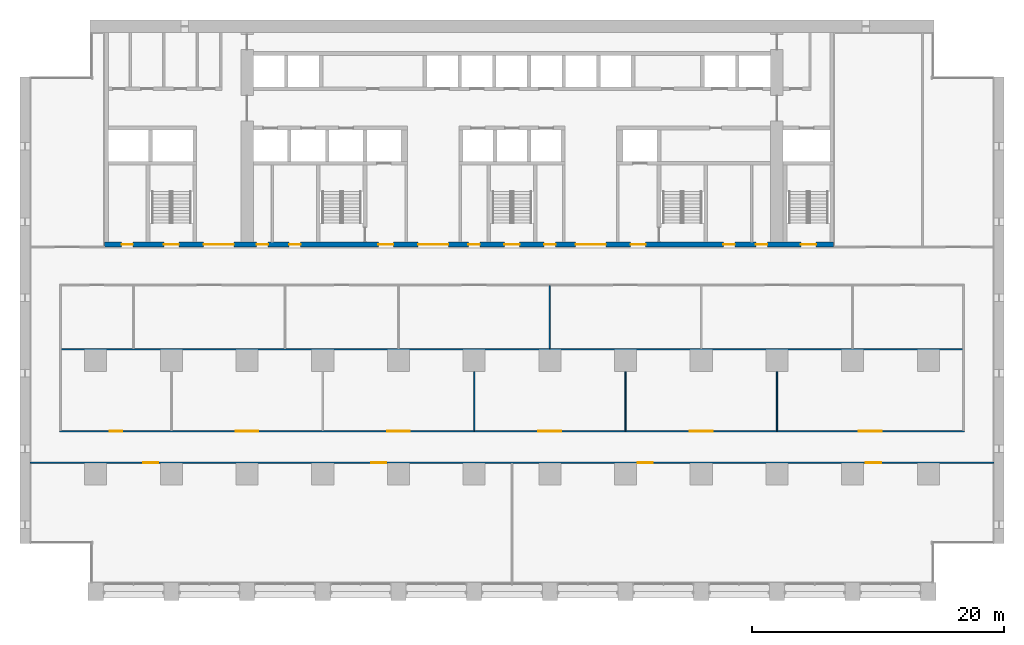
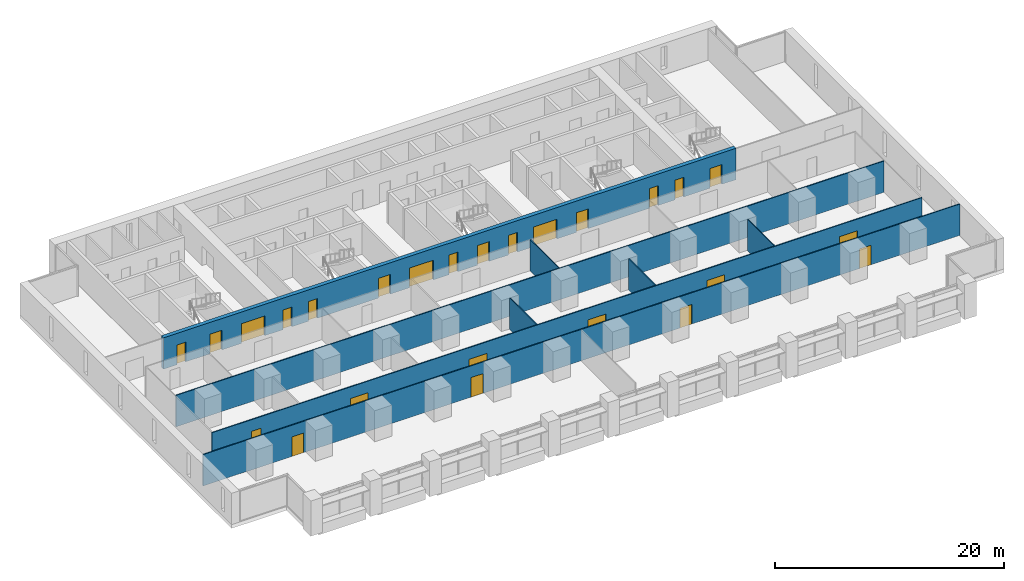
# One storey, part 9 of 18: 25 doors, 8 walls, 25 openings.
"""IFC4 building model written with IfcOpenShell, lengths in metres."""

import ifcopenshell
import ifcopenshell.guid

model = None  # the IFC model being written
_history = None  # IfcOwnerHistory: only IFC2X3 demands one
_inside = {}  # id of a spatial element -> (the spatial element, [elements in it])
_under = {}  # id of a project, library or spatial element -> (it, [spatial elements below it])
_declared = {}  # id of a project -> (the project, [libraries it declares])
_typed = {}  # id of a type object -> (the type object, [elements of that type])
_made_of = {}  # id of a material, layer set ... -> (it, [elements and type objects made of it])


def new_model(schema):
    """Start an empty IFC model of exactly this schema.

    Asked for "IFC4X3", IfcOpenShell would pick the latest addendum, in which some entities
    have other attributes; the version numbers below select the first issue.
    IFC2X3 requires an IfcOwnerHistory on every rooted entity: one is made here for all.
    """
    global model, _history
    if schema == "IFC4X3":
        model = ifcopenshell.file(schema_version=(4, 3, 0, 0))
    else:
        model = ifcopenshell.file(schema=schema)
    _inside.clear()
    _under.clear()
    _declared.clear()
    _typed.clear()
    _made_of.clear()
    _history = None
    if model.schema == "IFC2X3":
        org = make("IfcOrganization", Name="unknown")
        user = make(
            "IfcPersonAndOrganization",
            ThePerson=make("IfcPerson", FamilyName="unknown"),
            TheOrganization=org,
        )
        app = make(
            "IfcApplication",
            ApplicationDeveloper=org,
            Version="unknown",
            ApplicationFullName="unknown",
            ApplicationIdentifier="unknown",
        )
        _history = make(
            "IfcOwnerHistory",
            OwningUser=user,
            OwningApplication=app,
            ChangeAction="ADDED",
            CreationDate=0,
        )
    return model


def make(cls, **values):
    """One entity of the class cls with the attributes given. An attribute that is None is left unset."""
    return model.create_entity(
        cls, **{name: value for name, value in values.items() if value is not None}
    )


def rooted(cls, **values):
    """An entity with a GlobalId (a new one), such as an element, a storey or a relation."""
    return make(cls, GlobalId=ifcopenshell.guid.new(), OwnerHistory=_history, **values)


def si_unit(unit_type, name, prefix=None):
    """IfcSIUnit, for example si_unit("LENGTHUNIT", "METRE", prefix="MILLI")."""
    return make("IfcSIUnit", UnitType=unit_type, Prefix=prefix, Name=name)


def assignment(units):
    """IfcUnitAssignment: the units of a project."""
    return None if units is None else make("IfcUnitAssignment", Units=units)


def point(xyz):
    """IfcCartesianPoint."""
    return None if xyz is None else make("IfcCartesianPoint", Coordinates=xyz)


def direction(xyz):
    """IfcDirection."""
    return None if xyz is None else make("IfcDirection", DirectionRatios=xyz)


def frame(location, z_axis=None, x_axis=None):
    """IfcAxis2Placement3D, a coordinate frame: its origin and axes. An axis left out is left unset."""
    return make(
        "IfcAxis2Placement3D",
        Location=point(location),
        Axis=direction(z_axis),
        RefDirection=direction(x_axis),
    )


def frame_2d(location, x_axis=None):
    """IfcAxis2Placement2D, a coordinate frame in the plane: its origin and x axis."""
    return make(
        "IfcAxis2Placement2D", Location=point(location), RefDirection=direction(x_axis)
    )


def origin():
    """The frame at (0, 0, 0) with its axes left unset."""
    return frame((0.0, 0.0, 0.0))


def place(relative_to, where):
    """IfcLocalPlacement: puts the frame where relative to a parent placement (None: the world)."""
    return make(
        "IfcLocalPlacement", PlacementRelTo=relative_to, RelativePlacement=where
    )


def context(
    kind, dimensions, precision=None, world=None, true_north=None, identifier=None
):
    """IfcGeometricRepresentationContext, for example the 3D "Model" context."""
    return make(
        "IfcGeometricRepresentationContext",
        ContextIdentifier=identifier,
        ContextType=kind,
        CoordinateSpaceDimension=dimensions,
        Precision=precision,
        WorldCoordinateSystem=world,
        TrueNorth=true_north,
    )


def subcontext(parent, identifier, kind, view, scale=None):
    """IfcGeometricRepresentationSubContext, for example "Body" below "Model"."""
    return make(
        "IfcGeometricRepresentationSubContext",
        ContextIdentifier=identifier,
        ContextType=kind,
        ParentContext=parent,
        TargetScale=scale,
        TargetView=view,
    )


def project(units=None, contexts=None):
    """IfcProject with its units and contexts."""
    return rooted(
        "IfcProject",
        Name="project",
        RepresentationContexts=contexts,
        UnitsInContext=assignment(units),
    )


def spatial(cls, under=None, at=None, **own):
    """A site, building, storey or space (cls), placed at a placement, below another one or the project."""
    s = rooted(cls, ObjectPlacement=at, **own)
    if under is not None:
        _under.setdefault(under.id(), (under, []))[1].append(s)
    return s


def profile(cls, at=None, kind="AREA", **sizes):
    """A parametric profile (cls). Its sizes go by their IFC names, for example OverallWidth=200.0."""
    return make(cls, ProfileType=kind, Position=at, **sizes)


def rectangle(**sizes):
    """IfcRectangleProfileDef."""
    return profile("IfcRectangleProfileDef", **sizes)


def extrude(swept, where, along, depth):
    """IfcExtrudedAreaSolid: the profile swept, set in the frame where, extruded along a direction by depth."""
    return make(
        "IfcExtrudedAreaSolid",
        SweptArea=swept,
        Position=where,
        ExtrudedDirection=direction(along),
        Depth=depth,
    )


def shape(context_of_items, identifier, shape_type, items):
    """IfcShapeRepresentation: the items that make up one representation, for example the "Body"."""
    return make(
        "IfcShapeRepresentation",
        ContextOfItems=context_of_items,
        RepresentationIdentifier=identifier,
        RepresentationType=shape_type,
        Items=items,
    )


def material(Name=None, Category=None):
    """IfcMaterial."""
    return make("IfcMaterial", Name=Name, Category=Category)


def layer(
    of_material, thickness, ventilated=None, Name=None, Category=None, Priority=None
):
    """IfcMaterialLayer: one layer of a wall or slab, of a material (None: an air gap)."""
    return make(
        "IfcMaterialLayer",
        Material=of_material,
        LayerThickness=thickness,
        IsVentilated=ventilated,
        Name=Name,
        Category=Category,
        Priority=Priority,
    )


def layer_set(layers, Name=None):
    """IfcMaterialLayerSet."""
    return make("IfcMaterialLayerSet", MaterialLayers=layers, LayerSetName=Name)


def made_of(thing, what):
    """Note that an element or type object is made of a material, layer set ...; save() writes the relation."""
    if what is not None:
        _made_of.setdefault(what.id(), (what, []))[1].append(thing)
    return thing


def type_object(cls, material=None, **own):
    """A type object (cls), such as IfcWallType, which elements share."""
    return made_of(rooted(cls, **own), material)


def element(
    cls,
    number,
    at=None,
    inside=None,
    cuts=None,
    type_object=None,
    material=None,
    context=None,
    identifier="Body",
    shape_type=None,
    held_by="IfcProductDefinitionShape",
    body=None,
    shapes=None,
    **own,
):
    """One element of the class cls, such as IfcWall. Its Tag is "e" and its number.

    at: its placement. inside: the storey or other place that contains it. cuts: it is an
    opening in that element (IfcRelVoidsElement). A single representation is given by context,
    identifier, shape_type and body (its items); several are given by shapes. held_by: the class
    of the entity that holds the representations. save() writes the other relations.
    """
    e = rooted(cls, Tag="e%d" % number, ObjectPlacement=at, **own)
    if body is not None:
        shapes = [shape(context, identifier, shape_type, body)]
    if shapes is not None:
        e.Representation = make(held_by, Representations=shapes)
    if inside is not None:
        _inside.setdefault(inside.id(), (inside, []))[1].append(e)
    if cuts is not None:
        rooted(
            "IfcRelVoidsElement", RelatingBuildingElement=cuts, RelatedOpeningElement=e
        )
    if type_object is not None:
        _typed.setdefault(type_object.id(), (type_object, []))[1].append(e)
    return made_of(e, material)


def fill(opening, filler):
    """IfcRelFillsElement: the door or window that sits in an opening."""
    return rooted(
        "IfcRelFillsElement",
        RelatingOpeningElement=opening,
        RelatedBuildingElement=filler,
    )


def aggregate(whole, parts):
    """IfcRelAggregates: a whole, such as a stair, and the parts it consists of."""
    return rooted("IfcRelAggregates", RelatingObject=whole, RelatedObjects=parts)


def save(model, path):
    """Write the relations noted so far, then the file.

    IfcRelAggregates (storeys below a building ...), IfcRelContainedInSpatialStructure (elements
    in a storey), IfcRelDefinesByType, IfcRelAssociatesMaterial and IfcRelDeclares: one each for
    every whole, place, type object, material and project.
    """
    for whole, parts in _under.values():
        aggregate(whole, parts)
    for where, things in _inside.values():
        rooted(
            "IfcRelContainedInSpatialStructure",
            RelatedElements=things,
            RelatingStructure=where,
        )
    for kind, things in _typed.values():
        rooted("IfcRelDefinesByType", RelatedObjects=things, RelatingType=kind)
    for what, things in _made_of.values():
        rooted("IfcRelAssociatesMaterial", RelatedObjects=things, RelatingMaterial=what)
    for by, libraries in _declared.values():
        rooted("IfcRelDeclares", RelatingContext=by, RelatedDefinitions=libraries)
    model.write(path)


model = new_model("IFC4")

# Units and contexts
model_context = context("Model", 3, precision=1e-05, world=origin(), true_north=direction((0.0, 1.0)))
body_context = subcontext(model_context, "Body", "Model", "MODEL_VIEW")
ifc_project = project(units=[si_unit("LENGTHUNIT", "METRE"), si_unit("AREAUNIT", "SQUARE_METRE"), si_unit("VOLUMEUNIT", "CUBIC_METRE"), si_unit("PLANEANGLEUNIT", "RADIAN"), si_unit("MASSUNIT", "GRAM", prefix="KILO")], contexts=[model_context])

# Site, building, storey
site_placement = place(None, origin())
site = spatial("IfcSite", under=ifc_project, at=site_placement, CompositionType="ELEMENT")
building_placement = place(site_placement, origin())
building = spatial("IfcBuilding", under=site, at=building_placement, Name="Calvaro Tower", CompositionType="ELEMENT")
storey_placement = place(building_placement, frame((0.0, 0.0, 37.5)))
storey = spatial("IfcBuildingStorey", under=building, at=storey_placement, Name="L08", CompositionType="ELEMENT", Elevation=37.5)

# Wall, openings, doors
ifc_material_1 = material(Name="Concrete C80/95", Category="concrete")
ifc_layer_1 = layer(ifc_material_1, 0.39990234375)
ifc_layer_set_1 = layer_set([ifc_layer_1], Name="Concrete C80/95")
wall_type_1 = type_object("IfcWallType", Name="Core wall C80/95 400", PredefinedType="SHEAR", material=ifc_layer_set_1)
wall_1_placement = place(storey_placement, frame((6.699951171875, 28.199951171875, 0.0), z_axis=(0.0, 0.0, 1.0), x_axis=(1.0, 0.0, 0.0)))
wall_1 = element("IfcWall", 1, at=wall_1_placement, inside=storey, type_object=wall_type_1, Name="Core wall, front", PredefinedType="SHEAR", context=body_context, shape_type="SweptSolid", body=[
    extrude(rectangle(XDim=57.800048828125, YDim=0.39990234375, at=frame_2d((28.89990234375, 0.0))), origin(), (0.0, 0.0, 1.0), 3.35009765625),
])
opening_1_placement = place(wall_1_placement, frame((12.0625, 0.0, 0.0)))
opening_1 = element("IfcOpeningElement", 2, at=opening_1_placement, cuts=wall_1, Name="Opening RD9C", PredefinedType="OPENING", context=body_context, shape_type="SweptSolid", body=[
    extrude(rectangle(XDim=0.89990234375, YDim=2.10009765625, at=frame_2d((0.449951171875, 1.050048828125))), frame((0.0, 0.2099609375, 0.0), z_axis=(0.0, -1.0, 0.0), x_axis=(1.0, 0.0, 0.0)), (0.0, 0.0, 1.0), 0.419921875),
])
opening_2_placement = place(wall_1_placement, frame((14.637451171875, 0.0, 0.0)))
opening_2 = element("IfcOpeningElement", 3, at=opening_2_placement, cuts=wall_1, Name="Opening RD9E", PredefinedType="OPENING", context=body_context, shape_type="SweptSolid", body=[
    extrude(rectangle(XDim=0.89990234375, YDim=2.10009765625, at=frame_2d((0.449951171875, 1.050048828125))), frame((0.0, 0.2099609375, 0.0), z_axis=(0.0, -1.0, 0.0), x_axis=(1.0, 0.0, 0.0)), (0.0, 0.0, 1.0), 0.419921875),
])
opening_3_placement = place(wall_1_placement, frame((49.0625, 0.0, 0.0)))
opening_3 = element("IfcOpeningElement", 4, at=opening_3_placement, cuts=wall_1, Name="Opening RD9E", PredefinedType="OPENING", context=body_context, shape_type="SweptSolid", body=[
    extrude(rectangle(XDim=0.89990234375, YDim=2.10009765625, at=frame_2d((0.449951171875, 1.050048828125))), frame((0.0, 0.2099609375, 0.0), z_axis=(0.0, -1.0, 0.0), x_axis=(1.0, 0.0, 0.0)), (0.0, 0.0, 1.0), 0.419921875),
])
opening_4_placement = place(wall_1_placement, frame((51.637451171875, 0.0, 0.0)))
opening_4 = element("IfcOpeningElement", 5, at=opening_4_placement, cuts=wall_1, Name="Opening RD9C", PredefinedType="OPENING", context=body_context, shape_type="SweptSolid", body=[
    extrude(rectangle(XDim=0.89990234375, YDim=2.10009765625, at=frame_2d((0.449951171875, 1.050048828125))), frame((0.0, 0.2099609375, 0.0), z_axis=(0.0, -1.0, 0.0), x_axis=(1.0, 0.0, 0.0)), (0.0, 0.0, 1.0), 0.419921875),
])
opening_5_placement = place(wall_1_placement, frame((1.35009765625, 0.0, 0.0)))
opening_5 = element("IfcOpeningElement", 6, at=opening_5_placement, cuts=wall_1, Name="Opening RD9E", PredefinedType="OPENING", context=body_context, shape_type="SweptSolid", body=[
    extrude(rectangle(XDim=0.89990234375, YDim=2.10009765625, at=frame_2d((0.449951171875, 1.050048828125))), frame((0.0, 0.2099609375, 0.0), z_axis=(0.0, -1.0, 0.0), x_axis=(1.0, 0.0, 0.0)), (0.0, 0.0, 1.0), 0.419921875),
])
opening_6_placement = place(wall_1_placement, frame((4.699951171875, 0.0, 0.0)))
opening_6 = element("IfcOpeningElement", 7, at=opening_6_placement, cuts=wall_1, Name="Opening SD12D", PredefinedType="OPENING", context=body_context, shape_type="SweptSolid", body=[
    extrude(rectangle(XDim=1.199951171875, YDim=2.10009765625, at=frame_2d((0.60009765625, 1.050048828125))), frame((0.0, 0.2099609375, 0.0), z_axis=(0.0, -1.0, 0.0), x_axis=(1.0, 0.0, 0.0)), (0.0, 0.0, 1.0), 0.419921875),
])
opening_7_placement = place(wall_1_placement, frame((31.699951171875, 0.0, 0.0)))
opening_7 = element("IfcOpeningElement", 8, at=opening_7_placement, cuts=wall_1, Name="Opening SD12D", PredefinedType="OPENING", context=body_context, shape_type="SweptSolid", body=[
    extrude(rectangle(XDim=1.199951171875, YDim=2.10009765625, at=frame_2d((0.60009765625, 1.050048828125))), frame((0.0, 0.2099609375, 0.0), z_axis=(0.0, -1.0, 0.0), x_axis=(1.0, 0.0, 0.0)), (0.0, 0.0, 1.0), 0.419921875),
])
opening_8_placement = place(wall_1_placement, frame((55.199951171875, 0.0, 0.0)))
opening_8 = element("IfcOpeningElement", 9, at=opening_8_placement, cuts=wall_1, Name="Opening SD12D", PredefinedType="OPENING", context=body_context, shape_type="SweptSolid", body=[
    extrude(rectangle(XDim=1.199951171875, YDim=2.10009765625, at=frame_2d((0.60009765625, 1.050048828125))), frame((0.0, 0.2099609375, 0.0), z_axis=(0.0, -1.0, 0.0), x_axis=(1.0, 0.0, 0.0)), (0.0, 0.0, 1.0), 0.419921875),
])
opening_9_placement = place(wall_1_placement, frame((21.699951171875, 0.0, 0.0)))
opening_9 = element("IfcOpeningElement", 10, at=opening_9_placement, cuts=wall_1, Name="Opening FD12F", PredefinedType="OPENING", context=body_context, shape_type="SweptSolid", body=[
    extrude(rectangle(XDim=1.199951171875, YDim=2.10009765625, at=frame_2d((0.60009765625, 1.050048828125))), frame((0.0, 0.2099609375, 0.0), z_axis=(0.0, -1.0, 0.0), x_axis=(1.0, 0.0, 0.0)), (0.0, 0.0, 1.0), 0.419921875),
])
opening_10_placement = place(wall_1_placement, frame((41.699951171875, 0.0, 0.0)))
opening_10 = element("IfcOpeningElement", 11, at=opening_10_placement, cuts=wall_1, Name="Opening FD12F", PredefinedType="OPENING", context=body_context, shape_type="SweptSolid", body=[
    extrude(rectangle(XDim=1.199951171875, YDim=2.10009765625, at=frame_2d((0.60009765625, 1.050048828125))), frame((0.0, 0.2099609375, 0.0), z_axis=(0.0, -1.0, 0.0), x_axis=(1.0, 0.0, 0.0)), (0.0, 0.0, 1.0), 0.419921875),
])
opening_11_placement = place(wall_1_placement, frame((24.85009765625, 0.0, 0.0)))
opening_11 = element("IfcOpeningElement", 12, at=opening_11_placement, cuts=wall_1, Name="Opening DD24D", PredefinedType="OPENING", context=body_context, shape_type="SweptSolid", body=[
    extrude(rectangle(XDim=2.39990234375, YDim=2.10009765625, at=frame_2d((1.199951171875, 1.050048828125))), frame((0.0, 0.2099609375, 0.0), z_axis=(0.0, -1.0, 0.0), x_axis=(1.0, 0.0, 0.0)), (0.0, 0.0, 1.0), 0.419921875),
])
opening_12_placement = place(wall_1_placement, frame((37.35009765625, 0.0, 0.0)))
opening_12 = element("IfcOpeningElement", 13, at=opening_12_placement, cuts=wall_1, Name="Opening DD24D", PredefinedType="OPENING", context=body_context, shape_type="SweptSolid", body=[
    extrude(rectangle(XDim=2.39990234375, YDim=2.10009765625, at=frame_2d((1.199951171875, 1.050048828125))), frame((0.0, 0.2099609375, 0.0), z_axis=(0.0, -1.0, 0.0), x_axis=(1.0, 0.0, 0.0)), (0.0, 0.0, 1.0), 0.419921875),
])
opening_13_placement = place(wall_1_placement, frame((7.85009765625, 0.0, 0.0)))
opening_13 = element("IfcOpeningElement", 14, at=opening_13_placement, cuts=wall_1, Name="Opening DD24D", PredefinedType="OPENING", context=body_context, shape_type="SweptSolid", body=[
    extrude(rectangle(XDim=2.39990234375, YDim=2.10009765625, at=frame_2d((1.199951171875, 1.050048828125))), frame((0.0, 0.2099609375, 0.0), z_axis=(0.0, -1.0, 0.0), x_axis=(1.0, 0.0, 0.0)), (0.0, 0.0, 1.0), 0.419921875),
])
opening_14_placement = place(wall_1_placement, frame((28.85009765625, 0.0, 0.0)))
opening_14 = element("IfcOpeningElement", 15, at=opening_14_placement, cuts=wall_1, Name="Opening RD9E", PredefinedType="OPENING", context=body_context, shape_type="SweptSolid", body=[
    extrude(rectangle(XDim=0.89990234375, YDim=2.10009765625, at=frame_2d((0.449951171875, 1.050048828125))), frame((0.0, 0.2099609375, 0.0), z_axis=(0.0, -1.0, 0.0), x_axis=(1.0, 0.0, 0.0)), (0.0, 0.0, 1.0), 0.419921875),
])
opening_15_placement = place(wall_1_placement, frame((34.85009765625, 0.0, 0.0)))
opening_15 = element("IfcOpeningElement", 16, at=opening_15_placement, cuts=wall_1, Name="Opening RD9E", PredefinedType="OPENING", context=body_context, shape_type="SweptSolid", body=[
    extrude(rectangle(XDim=0.89990234375, YDim=2.10009765625, at=frame_2d((0.449951171875, 1.050048828125))), frame((0.0, 0.2099609375, 0.0), z_axis=(0.0, -1.0, 0.0), x_axis=(1.0, 0.0, 0.0)), (0.0, 0.0, 1.0), 0.419921875),
])
ifc_material_2 = material(Name="Steel door set", Category="steel")
door_type_1 = type_object("IfcDoorType", Name="Fire door 1200 FD60S", OperationType="SINGLE_SWING_LEFT", PredefinedType="DOOR", material=ifc_material_2)
door_1_placement = place(opening_9_placement, origin())
door_1 = element("IfcDoor", 17, at=door_1_placement, inside=storey, type_object=door_type_1, Name="Fire door", OperationType="SINGLE_SWING_LEFT", OverallHeight=2.10009765625, OverallWidth=1.199951171875, PredefinedType="DOOR", context=body_context, shape_type="SweptSolid", body=[
    extrude(rectangle(XDim=1.199951171875, YDim=2.10009765625, at=frame_2d((0.60009765625, 1.050048828125))), frame((0.0, 0.02490234375, 0.0), z_axis=(0.0, -1.0, 0.0), x_axis=(1.0, 0.0, 0.0)), (0.0, 0.0, 1.0), 0.050048828125),
])
fill(opening_9, door_1)
door_2_placement = place(opening_10_placement, origin())
door_2 = element("IfcDoor", 18, at=door_2_placement, inside=storey, type_object=door_type_1, Name="Fire door", OperationType="SINGLE_SWING_LEFT", OverallHeight=2.10009765625, OverallWidth=1.199951171875, PredefinedType="DOOR", context=body_context, shape_type="SweptSolid", body=[
    extrude(rectangle(XDim=1.199951171875, YDim=2.10009765625, at=frame_2d((0.60009765625, 1.050048828125))), frame((0.0, 0.02490234375, 0.0), z_axis=(0.0, -1.0, 0.0), x_axis=(1.0, 0.0, 0.0)), (0.0, 0.0, 1.0), 0.050048828125),
])
fill(opening_10, door_2)
ifc_material_3 = material(Name="Steel door set", Category="steel")
door_type_2 = type_object("IfcDoorType", Name="Lobby double door 2400 FD30S", OperationType="DOUBLE_DOOR_SINGLE_SWING", PredefinedType="DOOR", material=ifc_material_3)
door_3_placement = place(opening_11_placement, origin())
door_3 = element("IfcDoor", 19, at=door_3_placement, inside=storey, type_object=door_type_2, Name="Lobby double door", OperationType="DOUBLE_DOOR_SINGLE_SWING", OverallHeight=2.10009765625, OverallWidth=2.39990234375, PredefinedType="DOOR", context=body_context, shape_type="SweptSolid", body=[
    extrude(rectangle(XDim=2.39990234375, YDim=2.10009765625, at=frame_2d((1.199951171875, 1.050048828125))), frame((0.0, 0.02490234375, 0.0), z_axis=(0.0, -1.0, 0.0), x_axis=(1.0, 0.0, 0.0)), (0.0, 0.0, 1.0), 0.050048828125),
])
fill(opening_11, door_3)
door_4_placement = place(opening_12_placement, origin())
door_4 = element("IfcDoor", 20, at=door_4_placement, inside=storey, type_object=door_type_2, Name="Lobby double door", OperationType="DOUBLE_DOOR_SINGLE_SWING", OverallHeight=2.10009765625, OverallWidth=2.39990234375, PredefinedType="DOOR", context=body_context, shape_type="SweptSolid", body=[
    extrude(rectangle(XDim=2.39990234375, YDim=2.10009765625, at=frame_2d((1.199951171875, 1.050048828125))), frame((0.0, 0.02490234375, 0.0), z_axis=(0.0, -1.0, 0.0), x_axis=(1.0, 0.0, 0.0)), (0.0, 0.0, 1.0), 0.050048828125),
])
fill(opening_12, door_4)
door_5_placement = place(opening_13_placement, origin())
door_5 = element("IfcDoor", 21, at=door_5_placement, inside=storey, type_object=door_type_2, Name="Lobby double door", OperationType="DOUBLE_DOOR_SINGLE_SWING", OverallHeight=2.10009765625, OverallWidth=2.39990234375, PredefinedType="DOOR", context=body_context, shape_type="SweptSolid", body=[
    extrude(rectangle(XDim=2.39990234375, YDim=2.10009765625, at=frame_2d((1.199951171875, 1.050048828125))), frame((0.0, 0.02490234375, 0.0), z_axis=(0.0, -1.0, 0.0), x_axis=(1.0, 0.0, 0.0)), (0.0, 0.0, 1.0), 0.050048828125),
])
fill(opening_13, door_5)
ifc_material_4 = material(Name="Steel door set", Category="steel")
door_type_3 = type_object("IfcDoorType", Name="Room door 900 FD30", OperationType="SINGLE_SWING_LEFT", PredefinedType="DOOR", material=ifc_material_4)
door_6_placement = place(opening_1_placement, origin())
door_6 = element("IfcDoor", 22, at=door_6_placement, inside=storey, type_object=door_type_3, Name="Room door", OperationType="SINGLE_SWING_LEFT", OverallHeight=2.10009765625, OverallWidth=0.89990234375, PredefinedType="DOOR", context=body_context, shape_type="SweptSolid", body=[
    extrude(rectangle(XDim=0.89990234375, YDim=2.10009765625, at=frame_2d((0.449951171875, 1.050048828125))), frame((0.0, 0.02490234375, 0.0), z_axis=(0.0, -1.0, 0.0), x_axis=(1.0, 0.0, 0.0)), (0.0, 0.0, 1.0), 0.050048828125),
])
fill(opening_1, door_6)
door_7_placement = place(opening_4_placement, origin())
door_7 = element("IfcDoor", 23, at=door_7_placement, inside=storey, type_object=door_type_3, Name="Room door", OperationType="SINGLE_SWING_LEFT", OverallHeight=2.10009765625, OverallWidth=0.89990234375, PredefinedType="DOOR", context=body_context, shape_type="SweptSolid", body=[
    extrude(rectangle(XDim=0.89990234375, YDim=2.10009765625, at=frame_2d((0.449951171875, 1.050048828125))), frame((0.0, 0.02490234375, 0.0), z_axis=(0.0, -1.0, 0.0), x_axis=(1.0, 0.0, 0.0)), (0.0, 0.0, 1.0), 0.050048828125),
])
fill(opening_4, door_7)
ifc_material_5 = material(Name="Steel door set", Category="steel")
door_type_4 = type_object("IfcDoorType", Name="Room door 900 FD60", OperationType="SINGLE_SWING_LEFT", PredefinedType="DOOR", material=ifc_material_5)
door_8_placement = place(opening_2_placement, origin())
door_8 = element("IfcDoor", 24, at=door_8_placement, inside=storey, type_object=door_type_4, Name="Room door", OperationType="SINGLE_SWING_RIGHT", OverallHeight=2.10009765625, OverallWidth=0.89990234375, PredefinedType="DOOR", context=body_context, shape_type="SweptSolid", body=[
    extrude(rectangle(XDim=0.89990234375, YDim=2.10009765625, at=frame_2d((0.449951171875, 1.050048828125))), frame((0.0, 0.02490234375, 0.0), z_axis=(0.0, -1.0, 0.0), x_axis=(1.0, 0.0, 0.0)), (0.0, 0.0, 1.0), 0.050048828125),
])
fill(opening_2, door_8)
door_9_placement = place(opening_3_placement, origin())
door_9 = element("IfcDoor", 25, at=door_9_placement, inside=storey, type_object=door_type_4, Name="Room door", OperationType="SINGLE_SWING_LEFT", OverallHeight=2.10009765625, OverallWidth=0.89990234375, PredefinedType="DOOR", context=body_context, shape_type="SweptSolid", body=[
    extrude(rectangle(XDim=0.89990234375, YDim=2.10009765625, at=frame_2d((0.449951171875, 1.050048828125))), frame((0.0, 0.02490234375, 0.0), z_axis=(0.0, -1.0, 0.0), x_axis=(1.0, 0.0, 0.0)), (0.0, 0.0, 1.0), 0.050048828125),
])
fill(opening_3, door_9)
door_10_placement = place(opening_5_placement, origin())
door_10 = element("IfcDoor", 26, at=door_10_placement, inside=storey, type_object=door_type_4, Name="Room door", OperationType="SINGLE_SWING_LEFT", OverallHeight=2.10009765625, OverallWidth=0.89990234375, PredefinedType="DOOR", context=body_context, shape_type="SweptSolid", body=[
    extrude(rectangle(XDim=0.89990234375, YDim=2.10009765625, at=frame_2d((0.449951171875, 1.050048828125))), frame((0.0, 0.02490234375, 0.0), z_axis=(0.0, -1.0, 0.0), x_axis=(1.0, 0.0, 0.0)), (0.0, 0.0, 1.0), 0.050048828125),
])
fill(opening_5, door_10)
door_11_placement = place(opening_14_placement, origin())
door_11 = element("IfcDoor", 27, at=door_11_placement, inside=storey, type_object=door_type_4, Name="Room door", OperationType="SINGLE_SWING_LEFT", OverallHeight=2.10009765625, OverallWidth=0.89990234375, PredefinedType="DOOR", context=body_context, shape_type="SweptSolid", body=[
    extrude(rectangle(XDim=0.89990234375, YDim=2.10009765625, at=frame_2d((0.449951171875, 1.050048828125))), frame((0.0, 0.02490234375, 0.0), z_axis=(0.0, -1.0, 0.0), x_axis=(1.0, 0.0, 0.0)), (0.0, 0.0, 1.0), 0.050048828125),
])
fill(opening_14, door_11)
door_12_placement = place(opening_15_placement, origin())
door_12 = element("IfcDoor", 28, at=door_12_placement, inside=storey, type_object=door_type_4, Name="Room door", OperationType="SINGLE_SWING_LEFT", OverallHeight=2.10009765625, OverallWidth=0.89990234375, PredefinedType="DOOR", context=body_context, shape_type="SweptSolid", body=[
    extrude(rectangle(XDim=0.89990234375, YDim=2.10009765625, at=frame_2d((0.449951171875, 1.050048828125))), frame((0.0, 0.02490234375, 0.0), z_axis=(0.0, -1.0, 0.0), x_axis=(1.0, 0.0, 0.0)), (0.0, 0.0, 1.0), 0.050048828125),
])
fill(opening_15, door_12)
ifc_material_6 = material(Name="Steel door set", Category="steel")
door_type_5 = type_object("IfcDoorType", Name="Stair door 1200 FD30S", OperationType="SINGLE_SWING_LEFT", PredefinedType="DOOR", material=ifc_material_6)
door_13_placement = place(opening_6_placement, origin())
door_13 = element("IfcDoor", 29, at=door_13_placement, inside=storey, type_object=door_type_5, Name="Stair door", OperationType="SINGLE_SWING_LEFT", OverallHeight=2.10009765625, OverallWidth=1.199951171875, PredefinedType="DOOR", context=body_context, shape_type="SweptSolid", body=[
    extrude(rectangle(XDim=1.199951171875, YDim=2.10009765625, at=frame_2d((0.60009765625, 1.050048828125))), frame((0.0, 0.02490234375, 0.0), z_axis=(0.0, -1.0, 0.0), x_axis=(1.0, 0.0, 0.0)), (0.0, 0.0, 1.0), 0.050048828125),
])
fill(opening_6, door_13)
door_14_placement = place(opening_7_placement, origin())
door_14 = element("IfcDoor", 30, at=door_14_placement, inside=storey, type_object=door_type_5, Name="Stair door", OperationType="SINGLE_SWING_LEFT", OverallHeight=2.10009765625, OverallWidth=1.199951171875, PredefinedType="DOOR", context=body_context, shape_type="SweptSolid", body=[
    extrude(rectangle(XDim=1.199951171875, YDim=2.10009765625, at=frame_2d((0.60009765625, 1.050048828125))), frame((0.0, 0.02490234375, 0.0), z_axis=(0.0, -1.0, 0.0), x_axis=(1.0, 0.0, 0.0)), (0.0, 0.0, 1.0), 0.050048828125),
])
fill(opening_7, door_14)
door_15_placement = place(opening_8_placement, origin())
door_15 = element("IfcDoor", 31, at=door_15_placement, inside=storey, type_object=door_type_5, Name="Stair door", OperationType="SINGLE_SWING_LEFT", OverallHeight=2.10009765625, OverallWidth=1.199951171875, PredefinedType="DOOR", context=body_context, shape_type="SweptSolid", body=[
    extrude(rectangle(XDim=1.199951171875, YDim=2.10009765625, at=frame_2d((0.60009765625, 1.050048828125))), frame((0.0, 0.02490234375, 0.0), z_axis=(0.0, -1.0, 0.0), x_axis=(1.0, 0.0, 0.0)), (0.0, 0.0, 1.0), 0.050048828125),
])
fill(opening_8, door_15)

ifc_material_7 = material(Name="Plasterboard on steel studs", Category="steel")
ifc_layer_2 = layer(ifc_material_7, 0.10009765625)
ifc_layer_set_2 = layer_set([ifc_layer_2], Name="Plasterboard on steel studs")
wall_type_2 = type_object("IfcWallType", Name="Partition 100", PredefinedType="PARTITIONING", material=ifc_layer_set_2)
wall_2_placement = place(storey_placement, frame((0.800048828125, 10.89990234375, 0.0), z_axis=(0.0, 0.0, 1.0), x_axis=(1.0, 0.0, 0.0)))
wall_2 = element("IfcWall", 32, at=wall_2_placement, inside=storey, type_object=wall_type_2, Name="Partition T09.W001", PredefinedType="PARTITIONING", context=body_context, shape_type="SweptSolid", body=[
    extrude(rectangle(XDim=76.39990234375, YDim=0.10009765625, at=frame_2d((38.199951171875, 0.0))), origin(), (0.0, 0.0, 1.0), 3.35009765625),
])
opening_16_placement = place(wall_2_placement, frame((8.949951171875, 0.0, 0.0)))
opening_16 = element("IfcOpeningElement", 33, at=opening_16_placement, cuts=wall_2, Name="Opening T09.001", PredefinedType="OPENING", context=body_context, shape_type="SweptSolid", body=[
    extrude(rectangle(XDim=1.199951171875, YDim=2.10009765625, at=frame_2d((0.60009765625, 1.050048828125))), frame((0.0, 0.06005859375, 0.0), z_axis=(0.0, -1.0, 0.0), x_axis=(1.0, 0.0, 0.0)), (0.0, 0.0, 1.0), 0.1201171875),
])
opening_17_placement = place(wall_2_placement, frame((27.050048828125, 0.0, 0.0)))
opening_17 = element("IfcOpeningElement", 34, at=opening_17_placement, cuts=wall_2, Name="Opening T09.002", PredefinedType="OPENING", context=body_context, shape_type="SweptSolid", body=[
    extrude(rectangle(XDim=1.199951171875, YDim=2.10009765625, at=frame_2d((0.60009765625, 1.050048828125))), frame((0.0, 0.06005859375, 0.0), z_axis=(0.0, -1.0, 0.0), x_axis=(1.0, 0.0, 0.0)), (0.0, 0.0, 1.0), 0.1201171875),
])
opening_18_placement = place(wall_2_placement, frame((48.14990234375, 0.0, 0.0)))
opening_18 = element("IfcOpeningElement", 35, at=opening_18_placement, cuts=wall_2, Name="Opening T09.003", PredefinedType="OPENING", context=body_context, shape_type="SweptSolid", body=[
    extrude(rectangle(XDim=1.199951171875, YDim=2.10009765625, at=frame_2d((0.60009765625, 1.050048828125))), frame((0.0, 0.06005859375, 0.0), z_axis=(0.0, -1.0, 0.0), x_axis=(1.0, 0.0, 0.0)), (0.0, 0.0, 1.0), 0.1201171875),
])
opening_19_placement = place(wall_2_placement, frame((66.25, 0.0, 0.0)))
opening_19 = element("IfcOpeningElement", 36, at=opening_19_placement, cuts=wall_2, Name="Opening T09.004", PredefinedType="OPENING", context=body_context, shape_type="SweptSolid", body=[
    extrude(rectangle(XDim=1.199951171875, YDim=2.10009765625, at=frame_2d((0.60009765625, 1.050048828125))), frame((0.0, 0.06005859375, 0.0), z_axis=(0.0, -1.0, 0.0), x_axis=(1.0, 0.0, 0.0)), (0.0, 0.0, 1.0), 0.1201171875),
])
ifc_material_8 = material(Name="Timber", Category="wood")
door_type_6 = type_object("IfcDoorType", Name="Internal single door 1200 x 2100", OperationType="SINGLE_SWING_LEFT", PredefinedType="DOOR", material=ifc_material_8)
door_16_placement = place(opening_16_placement, origin())
door_16 = element("IfcDoor", 37, at=door_16_placement, inside=storey, type_object=door_type_6, Name="Door T09.001", OperationType="SINGLE_SWING_LEFT", OverallHeight=2.10009765625, OverallWidth=1.199951171875, PredefinedType="DOOR", context=body_context, shape_type="SweptSolid", body=[
    extrude(rectangle(XDim=1.199951171875, YDim=2.10009765625, at=frame_2d((0.60009765625, 1.050048828125))), frame((0.0, 0.02490234375, 0.0), z_axis=(0.0, -1.0, 0.0), x_axis=(1.0, 0.0, 0.0)), (0.0, 0.0, 1.0), 0.050048828125),
])
fill(opening_16, door_16)
door_17_placement = place(opening_17_placement, origin())
door_17 = element("IfcDoor", 38, at=door_17_placement, inside=storey, type_object=door_type_6, Name="Door T09.002", OperationType="SINGLE_SWING_LEFT", OverallHeight=2.10009765625, OverallWidth=1.199951171875, PredefinedType="DOOR", context=body_context, shape_type="SweptSolid", body=[
    extrude(rectangle(XDim=1.199951171875, YDim=2.10009765625, at=frame_2d((0.60009765625, 1.050048828125))), frame((0.0, 0.02490234375, 0.0), z_axis=(0.0, -1.0, 0.0), x_axis=(1.0, 0.0, 0.0)), (0.0, 0.0, 1.0), 0.050048828125),
])
fill(opening_17, door_17)
door_18_placement = place(opening_18_placement, origin())
door_18 = element("IfcDoor", 39, at=door_18_placement, inside=storey, type_object=door_type_6, Name="Door T09.003", OperationType="SINGLE_SWING_RIGHT", OverallHeight=2.10009765625, OverallWidth=1.199951171875, PredefinedType="DOOR", context=body_context, shape_type="SweptSolid", body=[
    extrude(rectangle(XDim=1.199951171875, YDim=2.10009765625, at=frame_2d((0.60009765625, 1.050048828125))), frame((0.0, 0.02490234375, 0.0), z_axis=(0.0, -1.0, 0.0), x_axis=(1.0, 0.0, 0.0)), (0.0, 0.0, 1.0), 0.050048828125),
])
fill(opening_18, door_18)
door_19_placement = place(opening_19_placement, origin())
door_19 = element("IfcDoor", 40, at=door_19_placement, inside=storey, type_object=door_type_6, Name="Door T09.004", OperationType="SINGLE_SWING_RIGHT", OverallHeight=2.10009765625, OverallWidth=1.199951171875, PredefinedType="DOOR", context=body_context, shape_type="SweptSolid", body=[
    extrude(rectangle(XDim=1.199951171875, YDim=2.10009765625, at=frame_2d((0.60009765625, 1.050048828125))), frame((0.0, 0.02490234375, 0.0), z_axis=(0.0, -1.0, 0.0), x_axis=(1.0, 0.0, 0.0)), (0.0, 0.0, 1.0), 0.050048828125),
])
fill(opening_19, door_19)

wall_3_placement = place(storey_placement, frame((3.14990234375, 13.39990234375, 0.0), z_axis=(0.0, 0.0, 1.0), x_axis=(1.0, 0.0, 0.0)))
wall_3 = element("IfcWall", 41, at=wall_3_placement, inside=storey, type_object=wall_type_2, Name="Partition T09.W002", PredefinedType="PARTITIONING", context=body_context, shape_type="SweptSolid", body=[
    extrude(rectangle(XDim=71.7001953125, YDim=0.10009765625, at=frame_2d((35.85009765625, 0.0))), origin(), (0.0, 0.0, 1.0), 3.35009765625),
])
opening_20_placement = place(wall_3_placement, frame((3.949951171875, 0.0, 0.0)))
opening_20 = element("IfcOpeningElement", 42, at=opening_20_placement, cuts=wall_3, Name="Opening T09.005", PredefinedType="OPENING", context=body_context, shape_type="SweptSolid", body=[
    extrude(rectangle(XDim=1.0, YDim=2.10009765625, at=frame_2d((0.5, 1.050048828125))), frame((0.0, 0.06005859375, 0.0), z_axis=(0.0, -1.0, 0.0), x_axis=(1.0, 0.0, 0.0)), (0.0, 0.0, 1.0), 0.1201171875),
])
opening_21_placement = place(wall_3_placement, frame((63.35009765625, 0.0, 0.0)))
opening_21 = element("IfcOpeningElement", 43, at=opening_21_placement, cuts=wall_3, Name="Opening T09.006", PredefinedType="OPENING", context=body_context, shape_type="SweptSolid", body=[
    extrude(rectangle(XDim=1.800048828125, YDim=2.10009765625, at=frame_2d((0.89990234375, 1.050048828125))), frame((0.0, 0.06005859375, 0.0), z_axis=(0.0, -1.0, 0.0), x_axis=(1.0, 0.0, 0.0)), (0.0, 0.0, 1.0), 0.1201171875),
])
opening_22_placement = place(wall_3_placement, frame((13.949951171875, 0.0, 0.0)))
opening_22 = element("IfcOpeningElement", 44, at=opening_22_placement, cuts=wall_3, Name="Opening T09.007", PredefinedType="OPENING", context=body_context, shape_type="SweptSolid", body=[
    extrude(rectangle(XDim=1.800048828125, YDim=2.10009765625, at=frame_2d((0.89990234375, 1.050048828125))), frame((0.0, 0.06005859375, 0.0), z_axis=(0.0, -1.0, 0.0), x_axis=(1.0, 0.0, 0.0)), (0.0, 0.0, 1.0), 0.1201171875),
])
opening_23_placement = place(wall_3_placement, frame((25.949951171875, 0.0, 0.0)))
opening_23 = element("IfcOpeningElement", 45, at=opening_23_placement, cuts=wall_3, Name="Opening T09.008", PredefinedType="OPENING", context=body_context, shape_type="SweptSolid", body=[
    extrude(rectangle(XDim=1.800048828125, YDim=2.10009765625, at=frame_2d((0.89990234375, 1.050048828125))), frame((0.0, 0.06005859375, 0.0), z_axis=(0.0, -1.0, 0.0), x_axis=(1.0, 0.0, 0.0)), (0.0, 0.0, 1.0), 0.1201171875),
])
opening_24_placement = place(wall_3_placement, frame((37.949951171875, 0.0, 0.0)))
opening_24 = element("IfcOpeningElement", 46, at=opening_24_placement, cuts=wall_3, Name="Opening T09.009", PredefinedType="OPENING", context=body_context, shape_type="SweptSolid", body=[
    extrude(rectangle(XDim=1.800048828125, YDim=2.10009765625, at=frame_2d((0.89990234375, 1.050048828125))), frame((0.0, 0.06005859375, 0.0), z_axis=(0.0, -1.0, 0.0), x_axis=(1.0, 0.0, 0.0)), (0.0, 0.0, 1.0), 0.1201171875),
])
opening_25_placement = place(wall_3_placement, frame((49.949951171875, 0.0, 0.0)))
opening_25 = element("IfcOpeningElement", 47, at=opening_25_placement, cuts=wall_3, Name="Opening T09.010", PredefinedType="OPENING", context=body_context, shape_type="SweptSolid", body=[
    extrude(rectangle(XDim=1.800048828125, YDim=2.10009765625, at=frame_2d((0.89990234375, 1.050048828125))), frame((0.0, 0.06005859375, 0.0), z_axis=(0.0, -1.0, 0.0), x_axis=(1.0, 0.0, 0.0)), (0.0, 0.0, 1.0), 0.1201171875),
])
ifc_material_9 = material(Name="Timber", Category="wood")
door_type_7 = type_object("IfcDoorType", Name="Internal double door 1800 x 2100", OperationType="DOUBLE_DOOR_SINGLE_SWING", PredefinedType="DOOR", material=ifc_material_9)
door_20_placement = place(opening_21_placement, origin())
door_20 = element("IfcDoor", 48, at=door_20_placement, inside=storey, type_object=door_type_7, Name="Door T09.006", OperationType="DOUBLE_DOOR_SINGLE_SWING", OverallHeight=2.10009765625, OverallWidth=1.800048828125, PredefinedType="DOOR", context=body_context, shape_type="SweptSolid", body=[
    extrude(rectangle(XDim=1.800048828125, YDim=2.10009765625, at=frame_2d((0.89990234375, 1.050048828125))), frame((0.0, 0.02490234375, 0.0), z_axis=(0.0, -1.0, 0.0), x_axis=(1.0, 0.0, 0.0)), (0.0, 0.0, 1.0), 0.050048828125),
])
fill(opening_21, door_20)
door_21_placement = place(opening_22_placement, origin())
door_21 = element("IfcDoor", 49, at=door_21_placement, inside=storey, type_object=door_type_7, Name="Door T09.007", OperationType="DOUBLE_DOOR_SINGLE_SWING", OverallHeight=2.10009765625, OverallWidth=1.800048828125, PredefinedType="DOOR", context=body_context, shape_type="SweptSolid", body=[
    extrude(rectangle(XDim=1.800048828125, YDim=2.10009765625, at=frame_2d((0.89990234375, 1.050048828125))), frame((0.0, 0.02490234375, 0.0), z_axis=(0.0, -1.0, 0.0), x_axis=(1.0, 0.0, 0.0)), (0.0, 0.0, 1.0), 0.050048828125),
])
fill(opening_22, door_21)
door_22_placement = place(opening_23_placement, origin())
door_22 = element("IfcDoor", 50, at=door_22_placement, inside=storey, type_object=door_type_7, Name="Door T09.008", OperationType="DOUBLE_DOOR_SINGLE_SWING", OverallHeight=2.10009765625, OverallWidth=1.800048828125, PredefinedType="DOOR", context=body_context, shape_type="SweptSolid", body=[
    extrude(rectangle(XDim=1.800048828125, YDim=2.10009765625, at=frame_2d((0.89990234375, 1.050048828125))), frame((0.0, 0.02490234375, 0.0), z_axis=(0.0, -1.0, 0.0), x_axis=(1.0, 0.0, 0.0)), (0.0, 0.0, 1.0), 0.050048828125),
])
fill(opening_23, door_22)
door_23_placement = place(opening_24_placement, origin())
door_23 = element("IfcDoor", 51, at=door_23_placement, inside=storey, type_object=door_type_7, Name="Door T09.009", OperationType="DOUBLE_DOOR_SINGLE_SWING", OverallHeight=2.10009765625, OverallWidth=1.800048828125, PredefinedType="DOOR", context=body_context, shape_type="SweptSolid", body=[
    extrude(rectangle(XDim=1.800048828125, YDim=2.10009765625, at=frame_2d((0.89990234375, 1.050048828125))), frame((0.0, 0.02490234375, 0.0), z_axis=(0.0, -1.0, 0.0), x_axis=(1.0, 0.0, 0.0)), (0.0, 0.0, 1.0), 0.050048828125),
])
fill(opening_24, door_23)
door_24_placement = place(opening_25_placement, origin())
door_24 = element("IfcDoor", 52, at=door_24_placement, inside=storey, type_object=door_type_7, Name="Door T09.010", OperationType="DOUBLE_DOOR_SINGLE_SWING", OverallHeight=2.10009765625, OverallWidth=1.800048828125, PredefinedType="DOOR", context=body_context, shape_type="SweptSolid", body=[
    extrude(rectangle(XDim=1.800048828125, YDim=2.10009765625, at=frame_2d((0.89990234375, 1.050048828125))), frame((0.0, 0.02490234375, 0.0), z_axis=(0.0, -1.0, 0.0), x_axis=(1.0, 0.0, 0.0)), (0.0, 0.0, 1.0), 0.050048828125),
])
fill(opening_25, door_24)
ifc_material_10 = material(Name="Timber", Category="wood")
door_type_8 = type_object("IfcDoorType", Name="Internal single door 1000 x 2100", OperationType="SINGLE_SWING_LEFT", PredefinedType="DOOR", material=ifc_material_10)
door_25_placement = place(opening_20_placement, origin())
door_25 = element("IfcDoor", 53, at=door_25_placement, inside=storey, type_object=door_type_8, Name="Door T09.005", OperationType="SINGLE_SWING_LEFT", OverallHeight=2.10009765625, OverallWidth=1.0, PredefinedType="DOOR", context=body_context, shape_type="SweptSolid", body=[
    extrude(rectangle(XDim=1.0, YDim=2.10009765625, at=frame_2d((0.5, 1.050048828125))), frame((0.0, 0.02490234375, 0.0), z_axis=(0.0, -1.0, 0.0), x_axis=(1.0, 0.0, 0.0)), (0.0, 0.0, 1.0), 0.050048828125),
])
fill(opening_20, door_25)

# Walls
wall_4_placement = place(storey_placement, frame((3.25, 19.89990234375, 0.0), z_axis=(0.0, 0.0, 1.0), x_axis=(1.0, 0.0, 0.0)))
element("IfcWall", 54, at=wall_4_placement, inside=storey, type_object=wall_type_2, Name="Partition T09.W003", PredefinedType="PARTITIONING", context=body_context, shape_type="SweptSolid", body=[
    extrude(rectangle(XDim=71.5, YDim=0.10009765625, at=frame_2d((35.75, 0.0))), origin(), (0.0, 0.0, 1.0), 3.35009765625),
])
wall_5_placement = place(storey_placement, frame((36.0, 13.449951171875, 0.0), z_axis=(0.0, 0.0, 1.0), x_axis=(0.0, 1.0, 0.0)))
element("IfcWall", 55, at=wall_5_placement, inside=storey, type_object=wall_type_2, Name="Partition T09.W013", PredefinedType="PARTITIONING", context=body_context, shape_type="SweptSolid", body=[
    extrude(rectangle(XDim=4.675048828125, YDim=0.10009765625, at=frame_2d((2.33740234375, 0.0))), origin(), (0.0, 0.0, 1.0), 3.35009765625),
])
wall_6_placement = place(storey_placement, frame((42.0, 19.949951171875, 0.0), z_axis=(0.0, 0.0, 1.0), x_axis=(0.0, 1.0, 0.0)))
element("IfcWall", 56, at=wall_6_placement, inside=storey, type_object=wall_type_2, Name="Partition T09.W015", PredefinedType="PARTITIONING", context=body_context, shape_type="SweptSolid", body=[
    extrude(rectangle(XDim=5.0, YDim=0.10009765625, at=frame_2d((2.5, 0.0))), origin(), (0.0, 0.0, 1.0), 3.35009765625),
])
for number, where, z_axis, x_axis, name in (
    (57, (48.0, 13.449951171875, 0.0), (0.0, 0.0, 1.0), (0.0, 1.0, 0.0), "Partition T09.W016"),
    (58, (60.0, 13.449951171875, 0.0), (0.0, 0.0, 1.0), (0.0, 1.0, 0.0), "Partition T09.W018"),
):
    element("IfcWall", number, at=place(storey_placement, frame(where, z_axis=z_axis, x_axis=x_axis)), inside=storey, type_object=wall_type_2, Name=name, PredefinedType="PARTITIONING", context=body_context, shape_type="SweptSolid", body=[
        extrude(rectangle(XDim=4.675048828125, YDim=0.10009765625, at=frame_2d((2.33740234375, 0.0))), origin(), (0.0, 0.0, 1.0), 3.35009765625),
    ])

save(model, "model.ifc")
